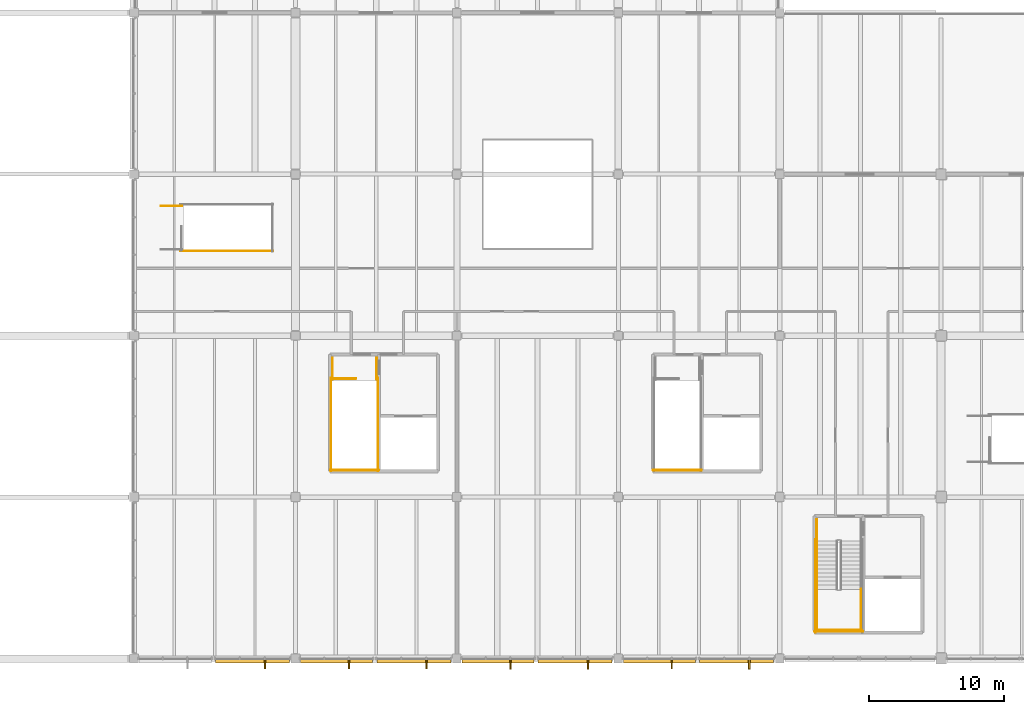
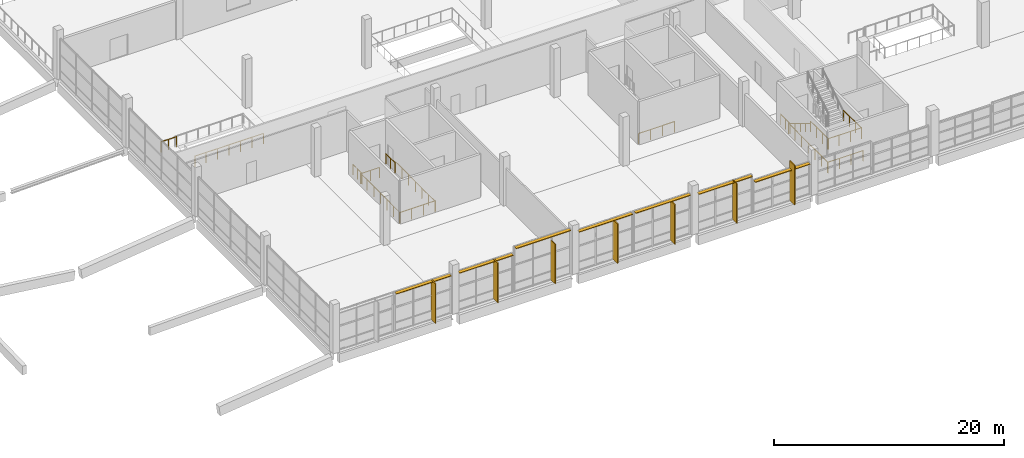
# One storey, part 92 of 112: 16 railings, 14 shading devices.
"""IFC4 building model written with IfcOpenShell, lengths in metres."""

import ifcopenshell
import ifcopenshell.guid

model = None  # the IFC model being written
_history = None  # IfcOwnerHistory: only IFC2X3 demands one
_inside = {}  # id of a spatial element -> (the spatial element, [elements in it])
_under = {}  # id of a project, library or spatial element -> (it, [spatial elements below it])
_declared = {}  # id of a project -> (the project, [libraries it declares])
_typed = {}  # id of a type object -> (the type object, [elements of that type])
_made_of = {}  # id of a material, layer set ... -> (it, [elements and type objects made of it])


def new_model(schema):
    """Start an empty IFC model of exactly this schema.

    Asked for "IFC4X3", IfcOpenShell would pick the latest addendum, in which some entities
    have other attributes; the version numbers below select the first issue.
    IFC2X3 requires an IfcOwnerHistory on every rooted entity: one is made here for all.
    """
    global model, _history
    if schema == "IFC4X3":
        model = ifcopenshell.file(schema_version=(4, 3, 0, 0))
    else:
        model = ifcopenshell.file(schema=schema)
    _inside.clear()
    _under.clear()
    _declared.clear()
    _typed.clear()
    _made_of.clear()
    _history = None
    if model.schema == "IFC2X3":
        org = make("IfcOrganization", Name="unknown")
        user = make(
            "IfcPersonAndOrganization",
            ThePerson=make("IfcPerson", FamilyName="unknown"),
            TheOrganization=org,
        )
        app = make(
            "IfcApplication",
            ApplicationDeveloper=org,
            Version="unknown",
            ApplicationFullName="unknown",
            ApplicationIdentifier="unknown",
        )
        _history = make(
            "IfcOwnerHistory",
            OwningUser=user,
            OwningApplication=app,
            ChangeAction="ADDED",
            CreationDate=0,
        )
    return model


def make(cls, **values):
    """One entity of the class cls with the attributes given. An attribute that is None is left unset."""
    return model.create_entity(
        cls, **{name: value for name, value in values.items() if value is not None}
    )


def rooted(cls, **values):
    """An entity with a GlobalId (a new one), such as an element, a storey or a relation."""
    return make(cls, GlobalId=ifcopenshell.guid.new(), OwnerHistory=_history, **values)


def si_unit(unit_type, name, prefix=None):
    """IfcSIUnit, for example si_unit("LENGTHUNIT", "METRE", prefix="MILLI")."""
    return make("IfcSIUnit", UnitType=unit_type, Prefix=prefix, Name=name)


def assignment(units):
    """IfcUnitAssignment: the units of a project."""
    return None if units is None else make("IfcUnitAssignment", Units=units)


def point(xyz):
    """IfcCartesianPoint."""
    return None if xyz is None else make("IfcCartesianPoint", Coordinates=xyz)


def direction(xyz):
    """IfcDirection."""
    return None if xyz is None else make("IfcDirection", DirectionRatios=xyz)


def frame(location, z_axis=None, x_axis=None):
    """IfcAxis2Placement3D, a coordinate frame: its origin and axes. An axis left out is left unset."""
    return make(
        "IfcAxis2Placement3D",
        Location=point(location),
        Axis=direction(z_axis),
        RefDirection=direction(x_axis),
    )


def frame_2d(location, x_axis=None):
    """IfcAxis2Placement2D, a coordinate frame in the plane: its origin and x axis."""
    return make(
        "IfcAxis2Placement2D", Location=point(location), RefDirection=direction(x_axis)
    )


def origin():
    """The frame at (0, 0, 0) with its axes left unset."""
    return frame((0.0, 0.0, 0.0))


def origin_2d():
    """The frame at (0, 0) in the plane with its x axis left unset."""
    return frame_2d((0.0, 0.0))


def place(relative_to, where):
    """IfcLocalPlacement: puts the frame where relative to a parent placement (None: the world)."""
    return make(
        "IfcLocalPlacement", PlacementRelTo=relative_to, RelativePlacement=where
    )


def context(
    kind, dimensions, precision=None, world=None, true_north=None, identifier=None
):
    """IfcGeometricRepresentationContext, for example the 3D "Model" context."""
    return make(
        "IfcGeometricRepresentationContext",
        ContextIdentifier=identifier,
        ContextType=kind,
        CoordinateSpaceDimension=dimensions,
        Precision=precision,
        WorldCoordinateSystem=world,
        TrueNorth=true_north,
    )


def subcontext(parent, identifier, kind, view, scale=None):
    """IfcGeometricRepresentationSubContext, for example "Body" below "Model"."""
    return make(
        "IfcGeometricRepresentationSubContext",
        ContextIdentifier=identifier,
        ContextType=kind,
        ParentContext=parent,
        TargetScale=scale,
        TargetView=view,
    )


def project(units=None, contexts=None):
    """IfcProject with its units and contexts."""
    return rooted(
        "IfcProject",
        Name="project",
        RepresentationContexts=contexts,
        UnitsInContext=assignment(units),
    )


def spatial(cls, under=None, at=None, **own):
    """A site, building, storey or space (cls), placed at a placement, below another one or the project."""
    s = rooted(cls, ObjectPlacement=at, **own)
    if under is not None:
        _under.setdefault(under.id(), (under, []))[1].append(s)
    return s


def profile(cls, at=None, kind="AREA", **sizes):
    """A parametric profile (cls). Its sizes go by their IFC names, for example OverallWidth=200.0."""
    return make(cls, ProfileType=kind, Position=at, **sizes)


def rectangle(**sizes):
    """IfcRectangleProfileDef."""
    return profile("IfcRectangleProfileDef", **sizes)


def circle(**sizes):
    """IfcCircleProfileDef."""
    return profile("IfcCircleProfileDef", **sizes)


def extrude(swept, where, along, depth):
    """IfcExtrudedAreaSolid: the profile swept, set in the frame where, extruded along a direction by depth."""
    return make(
        "IfcExtrudedAreaSolid",
        SweptArea=swept,
        Position=where,
        ExtrudedDirection=direction(along),
        Depth=depth,
    )


def shape(context_of_items, identifier, shape_type, items):
    """IfcShapeRepresentation: the items that make up one representation, for example the "Body"."""
    return make(
        "IfcShapeRepresentation",
        ContextOfItems=context_of_items,
        RepresentationIdentifier=identifier,
        RepresentationType=shape_type,
        Items=items,
    )


def material(Name=None, Category=None):
    """IfcMaterial."""
    return make("IfcMaterial", Name=Name, Category=Category)


def made_of(thing, what):
    """Note that an element or type object is made of a material, layer set ...; save() writes the relation."""
    if what is not None:
        _made_of.setdefault(what.id(), (what, []))[1].append(thing)
    return thing


def type_object(cls, material=None, **own):
    """A type object (cls), such as IfcWallType, which elements share."""
    return made_of(rooted(cls, **own), material)


def element(
    cls,
    number,
    at=None,
    inside=None,
    cuts=None,
    type_object=None,
    material=None,
    context=None,
    identifier="Body",
    shape_type=None,
    held_by="IfcProductDefinitionShape",
    body=None,
    shapes=None,
    **own,
):
    """One element of the class cls, such as IfcWall. Its Tag is "e" and its number.

    at: its placement. inside: the storey or other place that contains it. cuts: it is an
    opening in that element (IfcRelVoidsElement). A single representation is given by context,
    identifier, shape_type and body (its items); several are given by shapes. held_by: the class
    of the entity that holds the representations. save() writes the other relations.
    """
    e = rooted(cls, Tag="e%d" % number, ObjectPlacement=at, **own)
    if body is not None:
        shapes = [shape(context, identifier, shape_type, body)]
    if shapes is not None:
        e.Representation = make(held_by, Representations=shapes)
    if inside is not None:
        _inside.setdefault(inside.id(), (inside, []))[1].append(e)
    if cuts is not None:
        rooted(
            "IfcRelVoidsElement", RelatingBuildingElement=cuts, RelatedOpeningElement=e
        )
    if type_object is not None:
        _typed.setdefault(type_object.id(), (type_object, []))[1].append(e)
    return made_of(e, material)


def aggregate(whole, parts):
    """IfcRelAggregates: a whole, such as a stair, and the parts it consists of."""
    return rooted("IfcRelAggregates", RelatingObject=whole, RelatedObjects=parts)


def save(model, path):
    """Write the relations noted so far, then the file.

    IfcRelAggregates (storeys below a building ...), IfcRelContainedInSpatialStructure (elements
    in a storey), IfcRelDefinesByType, IfcRelAssociatesMaterial and IfcRelDeclares: one each for
    every whole, place, type object, material and project.
    """
    for whole, parts in _under.values():
        aggregate(whole, parts)
    for where, things in _inside.values():
        rooted(
            "IfcRelContainedInSpatialStructure",
            RelatedElements=things,
            RelatingStructure=where,
        )
    for kind, things in _typed.values():
        rooted("IfcRelDefinesByType", RelatedObjects=things, RelatingType=kind)
    for what, things in _made_of.values():
        rooted("IfcRelAssociatesMaterial", RelatedObjects=things, RelatingMaterial=what)
    for by, libraries in _declared.values():
        rooted("IfcRelDeclares", RelatingContext=by, RelatedDefinitions=libraries)
    model.write(path)


model = new_model("IFC4")

# Units and contexts
model_context = context("Model", 3, precision=1e-05, world=origin(), true_north=direction((0.0, 1.0)))
body_context = subcontext(model_context, "Body", "Model", "MODEL_VIEW")
ifc_project = project(units=[si_unit("LENGTHUNIT", "METRE"), si_unit("AREAUNIT", "SQUARE_METRE"), si_unit("VOLUMEUNIT", "CUBIC_METRE"), si_unit("PLANEANGLEUNIT", "RADIAN"), si_unit("MASSUNIT", "GRAM", prefix="KILO")], contexts=[model_context])

# Site, building, storey
site_placement = place(None, origin())
site = spatial("IfcSite", under=ifc_project, at=site_placement, CompositionType="ELEMENT")
building_placement = place(site_placement, origin())
building = spatial("IfcBuilding", under=site, at=building_placement, Name="Kamomehara Wholesale Market", CompositionType="ELEMENT")
storey_placement = place(building_placement, frame((0.0, 0.0, 6.60009765625)))
storey = spatial("IfcBuildingStorey", under=building, at=storey_placement, Name="L01", CompositionType="ELEMENT", Elevation=6.60009765625)

# Railings
ifc_material_1 = material(Name="Steel SN400B", Category="steel")
railing_type_1 = type_object("IfcRailingType", Name="RAL-HND-900", PredefinedType="HANDRAIL", material=ifc_material_1)
railing_1_placement = place(storey_placement, frame((110.75, 20.75, 0.1845703125)))
element("IfcRailing", 1, at=railing_1_placement, inside=storey, type_object=railing_type_1, Name="L01 ST-07 stair handrail 1", PredefinedType="HANDRAIL", context=body_context, shape_type="SweptSolid", body=[
    extrude(circle(Radius=0.02392578125, at=origin_2d()), frame((0.0, 0.0, 0.8759765625), z_axis=(0.0, -0.85167021472, 0.524078090897), x_axis=(1.0, 0.0, 0.0)), (0.0, 0.0, 1.0), 4.22705078125),
    extrude(circle(Radius=0.02099609375, at=origin_2d()), origin(), (0.0, 0.0, 1.0), 0.851806640625),
    extrude(circle(Radius=0.02099609375, at=origin_2d()), frame((0.0, -0.89990234375, 0.5537109375)), (0.0, 0.0, 1.0), 0.851806640625),
    extrude(circle(Radius=0.02099609375, at=origin_2d()), frame((0.0, -1.800048828125, 1.107666015625)), (0.0, 0.0, 1.0), 0.851806640625),
    extrude(circle(Radius=0.02099609375, at=origin_2d()), frame((0.0, -2.7001953125, 1.66162109375)), (0.0, 0.0, 1.0), 0.851806640625),
    extrude(circle(Radius=0.02099609375, at=origin_2d()), frame((0.0, -3.60009765625, 2.21533203125)), (0.0, 0.0, 1.0), 0.851806640625),
])
ifc_material_2 = material(Name="Steel SN400B", Category="steel")
railing_type_2 = type_object("IfcRailingType", Name="RAL-INT-1100", PredefinedType="BALUSTRADE", material=ifc_material_2)
railing_2_placement = place(storey_placement, frame((74.699951171875, 32.800048828125, 0.0)))
element("IfcRailing", 2, at=railing_2_placement, inside=storey, type_object=railing_type_2, Name="L01 ST-05 top well guard 1", PredefinedType="BALUSTRADE", context=body_context, shape_type="SweptSolid", body=[
    extrude(circle(Radius=0.02392578125, at=origin_2d()), frame((0.0, 0.0, 1.09619140625), z_axis=(1.0, 0.0, 0.0), x_axis=(0.0, 1.0, 0.0)), (0.0, 0.0, 1.0), 1.800048828125),
    extrude(circle(Radius=0.02099609375, at=origin_2d()), origin(), (0.0, 0.0, 1.0), 1.072021484375),
    extrude(circle(Radius=0.02099609375, at=origin_2d()), frame((0.89990234375, 0.0, 0.0)), (0.0, 0.0, 1.0), 1.072021484375),
    extrude(circle(Radius=0.02099609375, at=origin_2d()), frame((1.800048828125, 0.0, 0.0)), (0.0, 0.0, 1.0), 1.072021484375),
])
for number, where, name in (
    (3, (74.64990234375, 32.85009765625, 0.0), "L01 ST-05 top well guard 2"),
    (4, (78.14990234375, 32.85009765625, 0.0), "L01 ST-05 top well guard 3"),
):
    element("IfcRailing", number, at=place(storey_placement, frame(where)), inside=storey, type_object=railing_type_2, Name=name, PredefinedType="BALUSTRADE", context=body_context, shape_type="SweptSolid", body=[
        extrude(circle(Radius=0.02392578125, at=origin_2d()), frame((0.0, 0.0, 1.09619140625), z_axis=(0.0, -1.0, 0.0), x_axis=(1.0, 0.0, 0.0)), (0.0, 0.0, 1.0), 6.900146484375),
        extrude(circle(Radius=0.02099609375, at=origin_2d()), origin(), (0.0, 0.0, 1.0), 1.072021484375),
        extrude(circle(Radius=0.02099609375, at=origin_2d()), frame((0.0, -1.14990234375, 0.0)), (0.0, 0.0, 1.0), 1.072021484375),
        extrude(circle(Radius=0.02099609375, at=origin_2d()), frame((0.0, -2.300048828125, 0.0)), (0.0, 0.0, 1.0), 1.072021484375),
        extrude(circle(Radius=0.02099609375, at=origin_2d()), frame((0.0, -3.4501953125, 0.0)), (0.0, 0.0, 1.0), 1.072021484375),
        extrude(circle(Radius=0.02099609375, at=origin_2d()), frame((0.0, -4.60009765625, 0.0)), (0.0, 0.0, 1.0), 1.072021484375),
        extrude(circle(Radius=0.02099609375, at=origin_2d()), frame((0.0, -5.75, 0.0)), (0.0, 0.0, 1.0), 1.072021484375),
        extrude(circle(Radius=0.02099609375, at=origin_2d()), frame((0.0, -6.900146484375, 0.0)), (0.0, 0.0, 1.0), 1.072021484375),
    ])
railing_3_placement = place(storey_placement, frame((74.60009765625, 26.0, 0.0)))
element("IfcRailing", 5, at=railing_3_placement, inside=storey, type_object=railing_type_2, Name="L01 ST-05 top well guard 4", PredefinedType="BALUSTRADE", context=body_context, shape_type="SweptSolid", body=[
    extrude(circle(Radius=0.02392578125, at=origin_2d()), frame((0.0, 0.0, 1.09619140625), z_axis=(1.0, 0.0, 0.0), x_axis=(0.0, 1.0, 0.0)), (0.0, 0.0, 1.0), 3.599853515625),
    extrude(circle(Radius=0.02099609375, at=origin_2d()), origin(), (0.0, 0.0, 1.0), 1.072021484375),
    extrude(circle(Radius=0.02099609375, at=origin_2d()), frame((1.199951171875, 0.0, 0.0)), (0.0, 0.0, 1.0), 1.072021484375),
    extrude(circle(Radius=0.02099609375, at=origin_2d()), frame((2.39990234375, 0.0, 0.0)), (0.0, 0.0, 1.0), 1.072021484375),
    extrude(circle(Radius=0.02099609375, at=origin_2d()), frame((3.599853515625, 0.0, 0.0)), (0.0, 0.0, 1.0), 1.072021484375),
])
for number, where, name in (
    (6, (74.75, 34.35009765625, 0.0), "L01 ST-05 top well guard 5"),
    (7, (78.050048828125, 34.35009765625, 0.0), "L01 ST-05 top well guard 6"),
):
    element("IfcRailing", number, at=place(storey_placement, frame(where)), inside=storey, type_object=railing_type_2, Name=name, PredefinedType="BALUSTRADE", context=body_context, shape_type="SweptSolid", body=[
        extrude(circle(Radius=0.02392578125, at=origin_2d()), frame((0.0, 0.0, 1.09619140625), z_axis=(0.0, -1.0, 0.0), x_axis=(1.0, 0.0, 0.0)), (0.0, 0.0, 1.0), 1.60009765625),
        extrude(circle(Radius=0.02099609375, at=origin_2d()), origin(), (0.0, 0.0, 1.0), 1.072021484375),
        extrude(circle(Radius=0.02099609375, at=origin_2d()), frame((0.0, -0.800048828125, 0.0)), (0.0, 0.0, 1.0), 1.072021484375),
        extrude(circle(Radius=0.02099609375, at=origin_2d()), frame((0.0, -1.60009765625, 0.0)), (0.0, 0.0, 1.0), 1.072021484375),
    ])
railing_4_placement = place(storey_placement, frame((98.60009765625, 26.0, 0.0)))
element("IfcRailing", 8, at=railing_4_placement, inside=storey, type_object=railing_type_2, Name="L01 ST-06 top well guard 4", PredefinedType="BALUSTRADE", context=body_context, shape_type="SweptSolid", body=[
    extrude(circle(Radius=0.02392578125, at=origin_2d()), frame((0.0, 0.0, 1.09619140625), z_axis=(1.0, 0.0, 0.0), x_axis=(0.0, 1.0, 0.0)), (0.0, 0.0, 1.0), 3.599853515625),
    extrude(circle(Radius=0.02099609375, at=origin_2d()), origin(), (0.0, 0.0, 1.0), 1.072021484375),
    extrude(circle(Radius=0.02099609375, at=origin_2d()), frame((1.199951171875, 0.0, 0.0)), (0.0, 0.0, 1.0), 1.072021484375),
    extrude(circle(Radius=0.02099609375, at=origin_2d()), frame((2.39990234375, 0.0, 0.0)), (0.0, 0.0, 1.0), 1.072021484375),
    extrude(circle(Radius=0.02099609375, at=origin_2d()), frame((3.599853515625, 0.0, 0.0)), (0.0, 0.0, 1.0), 1.072021484375),
])
for number, where, name in (
    (9, (110.75, 17.14990234375, 2.39990234375), "L01 ST-07 stair guard 3"),
    (10, (114.050048828125, 17.14990234375, 2.39990234375), "L01 ST-07 stair guard 4"),
):
    element("IfcRailing", number, at=place(storey_placement, frame(where)), inside=storey, type_object=railing_type_2, Name=name, PredefinedType="BALUSTRADE", context=body_context, shape_type="SweptSolid", body=[
        extrude(circle(Radius=0.02392578125, at=origin_2d()), frame((0.0, 0.0, 1.09619140625), z_axis=(0.0, -1.0, 0.0), x_axis=(1.0, 0.0, 0.0)), (0.0, 0.0, 1.0), 3.099853515625),
        extrude(circle(Radius=0.02099609375, at=origin_2d()), origin(), (0.0, 0.0, 1.0), 1.072021484375),
        extrude(circle(Radius=0.02099609375, at=origin_2d()), frame((0.0, -1.033203125, 0.0)), (0.0, 0.0, 1.0), 1.072021484375),
        extrude(circle(Radius=0.02099609375, at=origin_2d()), frame((0.0, -2.066650390625, 0.0)), (0.0, 0.0, 1.0), 1.072021484375),
        extrude(circle(Radius=0.02099609375, at=origin_2d()), frame((0.0, -3.099853515625, 0.0)), (0.0, 0.0, 1.0), 1.072021484375),
    ])
railing_5_placement = place(storey_placement, frame((110.699951171875, 14.10009765625, 2.39990234375)))
element("IfcRailing", 11, at=railing_5_placement, inside=storey, type_object=railing_type_2, Name="L01 ST-07 stair guard 5", PredefinedType="BALUSTRADE", context=body_context, shape_type="SweptSolid", body=[
    extrude(circle(Radius=0.02392578125, at=origin_2d()), frame((0.0, 0.0, 1.09619140625), z_axis=(1.0, 0.0, 0.0), x_axis=(0.0, 1.0, 0.0)), (0.0, 0.0, 1.0), 3.400146484375),
    extrude(circle(Radius=0.02099609375, at=origin_2d()), origin(), (0.0, 0.0, 1.0), 1.072021484375),
    extrude(circle(Radius=0.02099609375, at=origin_2d()), frame((1.13330078125, 0.0, 0.0)), (0.0, 0.0, 1.0), 1.072021484375),
    extrude(circle(Radius=0.02099609375, at=origin_2d()), frame((2.266845703125, 0.0, 0.0)), (0.0, 0.0, 1.0), 1.072021484375),
    extrude(circle(Radius=0.02099609375, at=origin_2d()), frame((3.400146484375, 0.0, 0.0)), (0.0, 0.0, 1.0), 1.072021484375),
])
railing_6_placement = place(storey_placement, frame((110.75, 22.35009765625, 0.0)))
element("IfcRailing", 12, at=railing_6_placement, inside=storey, type_object=railing_type_2, Name="L01 ST-07 stair guard 8", PredefinedType="BALUSTRADE", context=body_context, shape_type="SweptSolid", body=[
    extrude(circle(Radius=0.02392578125, at=origin_2d()), frame((0.0, 0.0, 1.09619140625), z_axis=(0.0, -1.0, 0.0), x_axis=(1.0, 0.0, 0.0)), (0.0, 0.0, 1.0), 1.60009765625),
    extrude(circle(Radius=0.02099609375, at=origin_2d()), origin(), (0.0, 0.0, 1.0), 1.072021484375),
    extrude(circle(Radius=0.02099609375, at=origin_2d()), frame((0.0, -0.800048828125, 0.0)), (0.0, 0.0, 1.0), 1.072021484375),
    extrude(circle(Radius=0.02099609375, at=origin_2d()), frame((0.0, -1.60009765625, 0.0)), (0.0, 0.0, 1.0), 1.072021484375),
])
railing_7_placement = place(storey_placement, frame((110.64990234375, 20.85009765625, 0.0)))
element("IfcRailing", 13, at=railing_7_placement, inside=storey, type_object=railing_type_2, Name="L01 ST-07 stair guard 10", PredefinedType="BALUSTRADE", context=body_context, shape_type="SweptSolid", body=[
    extrude(circle(Radius=0.02392578125, at=origin_2d()), frame((0.0, 0.0, 1.09619140625), z_axis=(0.0, -1.0, 0.0), x_axis=(1.0, 0.0, 0.0)), (0.0, 0.0, 1.0), 6.900146484375),
    extrude(circle(Radius=0.02099609375, at=origin_2d()), origin(), (0.0, 0.0, 1.0), 1.072021484375),
    extrude(circle(Radius=0.02099609375, at=origin_2d()), frame((0.0, -1.14990234375, 0.0)), (0.0, 0.0, 1.0), 1.072021484375),
    extrude(circle(Radius=0.02099609375, at=origin_2d()), frame((0.0, -2.300048828125, 0.0)), (0.0, 0.0, 1.0), 1.072021484375),
    extrude(circle(Radius=0.02099609375, at=origin_2d()), frame((0.0, -3.4501953125, 0.0)), (0.0, 0.0, 1.0), 1.072021484375),
    extrude(circle(Radius=0.02099609375, at=origin_2d()), frame((0.0, -4.60009765625, 0.0)), (0.0, 0.0, 1.0), 1.072021484375),
    extrude(circle(Radius=0.02099609375, at=origin_2d()), frame((0.0, -5.75, 0.0)), (0.0, 0.0, 1.0), 1.072021484375),
    extrude(circle(Radius=0.02099609375, at=origin_2d()), frame((0.0, -6.900146484375, 0.0)), (0.0, 0.0, 1.0), 1.072021484375),
])
railing_8_placement = place(storey_placement, frame((110.60009765625, 14.0, 0.0)))
element("IfcRailing", 14, at=railing_8_placement, inside=storey, type_object=railing_type_2, Name="L01 ST-07 stair guard 12", PredefinedType="BALUSTRADE", context=body_context, shape_type="SweptSolid", body=[
    extrude(circle(Radius=0.02392578125, at=origin_2d()), frame((0.0, 0.0, 1.09619140625), z_axis=(1.0, 0.0, 0.0), x_axis=(0.0, 1.0, 0.0)), (0.0, 0.0, 1.0), 3.599853515625),
    extrude(circle(Radius=0.02099609375, at=origin_2d()), origin(), (0.0, 0.0, 1.0), 1.072021484375),
    extrude(circle(Radius=0.02099609375, at=origin_2d()), frame((1.199951171875, 0.0, 0.0)), (0.0, 0.0, 1.0), 1.072021484375),
    extrude(circle(Radius=0.02099609375, at=origin_2d()), frame((2.39990234375, 0.0, 0.0)), (0.0, 0.0, 1.0), 1.072021484375),
    extrude(circle(Radius=0.02099609375, at=origin_2d()), frame((3.599853515625, 0.0, 0.0)), (0.0, 0.0, 1.0), 1.072021484375),
])
railing_9_placement = place(storey_placement, frame((63.47509765625, 42.300048828125, 0.0)))
element("IfcRailing", 15, at=railing_9_placement, inside=storey, type_object=railing_type_2, Name="L01 ST-16 top well guard 2", PredefinedType="BALUSTRADE", context=body_context, shape_type="SweptSolid", body=[
    extrude(circle(Radius=0.02392578125, at=origin_2d()), frame((0.0, 0.0, 1.09619140625), z_axis=(1.0, 0.0, 0.0), x_axis=(0.0, 1.0, 0.0)), (0.0, 0.0, 1.0), 6.875),
    extrude(circle(Radius=0.02099609375, at=origin_2d()), origin(), (0.0, 0.0, 1.0), 1.072021484375),
    extrude(circle(Radius=0.02099609375, at=origin_2d()), frame((1.145751953125, 0.0, 0.0)), (0.0, 0.0, 1.0), 1.072021484375),
    extrude(circle(Radius=0.02099609375, at=origin_2d()), frame((2.291748046875, 0.0, 0.0)), (0.0, 0.0, 1.0), 1.072021484375),
    extrude(circle(Radius=0.02099609375, at=origin_2d()), frame((3.4375, 0.0, 0.0)), (0.0, 0.0, 1.0), 1.072021484375),
    extrude(circle(Radius=0.02099609375, at=origin_2d()), frame((4.583251953125, 0.0, 0.0)), (0.0, 0.0, 1.0), 1.072021484375),
    extrude(circle(Radius=0.02099609375, at=origin_2d()), frame((5.729248046875, 0.0, 0.0)), (0.0, 0.0, 1.0), 1.072021484375),
    extrude(circle(Radius=0.02099609375, at=origin_2d()), frame((6.875, 0.0, 0.0)), (0.0, 0.0, 1.0), 1.072021484375),
])
railing_10_placement = place(storey_placement, frame((62.0, 45.64990234375, 0.0)))
element("IfcRailing", 16, at=railing_10_placement, inside=storey, type_object=railing_type_2, Name="L01 ST-16 top well guard 6", PredefinedType="BALUSTRADE", context=body_context, shape_type="SweptSolid", body=[
    extrude(circle(Radius=0.02392578125, at=origin_2d()), frame((0.0, 0.0, 1.09619140625), z_axis=(1.0, 0.0, 0.0), x_axis=(0.0, 1.0, 0.0)), (0.0, 0.0, 1.0), 1.574951171875),
    extrude(circle(Radius=0.02099609375, at=origin_2d()), origin(), (0.0, 0.0, 1.0), 1.072021484375),
    extrude(circle(Radius=0.02099609375, at=origin_2d()), frame((0.78759765625, 0.0, 0.0)), (0.0, 0.0, 1.0), 1.072021484375),
    extrude(circle(Radius=0.02099609375, at=origin_2d()), frame((1.574951171875, 0.0, 0.0)), (0.0, 0.0, 1.0), 1.072021484375),
])

# Shading devices
ifc_material_3 = material(Name="Anodised aluminium 6063-T5 Spectrum Red", Category="aluminium")
shading_device_type_1 = type_object("IfcShadingDeviceType", Name="SHD-FIN-01", PredefinedType="NOTDEFINED", material=ifc_material_3)
for number, where, z_axis, x_axis, name in (
    (17, (69.73291015625, 11.639892578125, 0.0), (0.0, 0.0, 1.0), (1.0, 0.0, 0.0), "Coastal sun-breaker fin V4 1"),
    (18, (99.97802734375, 11.639892578125, 0.0), (0.0, 0.0, 1.0), (1.0, 0.0, 0.0), "Coastal sun-breaker fin V4 8"),
):
    element("IfcShadingDevice", number, at=place(storey_placement, frame(where, z_axis=z_axis, x_axis=x_axis)), inside=storey, type_object=shading_device_type_1, Name=name, PredefinedType="NOTDEFINED", context=body_context, shape_type="SweptSolid", body=[
        extrude(rectangle(XDim=0.093994140625, YDim=0.760009765625, at=origin_2d()), origin(), (0.0, 0.0, 1.0), 4.199951171875),
    ])
ifc_material_4 = material(Name="Anodised aluminium 6063-T5 Spectrum Amber", Category="aluminium")
shading_device_type_2 = type_object("IfcShadingDeviceType", Name="SHD-FIN-03", PredefinedType="NOTDEFINED", material=ifc_material_4)
shading_device_1_placement = place(storey_placement, frame((81.73291015625, 11.6298828125, 0.0), z_axis=(0.0, 0.0, 1.0), x_axis=(1.0, 0.0, 0.0)))
element("IfcShadingDevice", 19, at=shading_device_1_placement, inside=storey, type_object=shading_device_type_2, Name="Coastal sun-breaker fin V4 3", PredefinedType="NOTDEFINED", context=body_context, shape_type="SweptSolid", body=[
    extrude(rectangle(XDim=0.10205078125, YDim=0.780029296875, at=origin_2d()), origin(), (0.0, 0.0, 1.0), 4.199951171875),
])
ifc_material_5 = material(Name="Anodised aluminium 6063-T5 Spectrum Green", Category="aluminium")
shading_device_type_3 = type_object("IfcShadingDeviceType", Name="SHD-FIN-04", PredefinedType="NOTDEFINED", material=ifc_material_5)
shading_device_2_placement = place(storey_placement, frame((75.97802734375, 11.625, 0.0), z_axis=(0.0, 0.0, 1.0), x_axis=(1.0, 0.0, 0.0)))
element("IfcShadingDevice", 20, at=shading_device_2_placement, inside=storey, type_object=shading_device_type_3, Name="Coastal sun-breaker fin V4 4", PredefinedType="NOTDEFINED", context=body_context, shape_type="SweptSolid", body=[
    extrude(rectangle(XDim=0.10595703125, YDim=0.7900390625, at=origin_2d()), origin(), (0.0, 0.0, 1.0), 4.199951171875),
])
ifc_material_6 = material(Name="Anodised aluminium 6063-T5 Spectrum Cyan", Category="aluminium")
shading_device_type_4 = type_object("IfcShadingDeviceType", Name="SHD-FIN-05", PredefinedType="NOTDEFINED", material=ifc_material_6)
shading_device_3_placement = place(storey_placement, frame((93.73291015625, 11.6201171875, 0.0), z_axis=(0.0, 0.0, 1.0), x_axis=(1.0, 0.0, 0.0)))
element("IfcShadingDevice", 21, at=shading_device_3_placement, inside=storey, type_object=shading_device_type_4, Name="Coastal sun-breaker fin V4 5", PredefinedType="NOTDEFINED", context=body_context, shape_type="SweptSolid", body=[
    extrude(rectangle(XDim=0.110107421875, YDim=0.800048828125, at=origin_2d()), origin(), (0.0, 0.0, 1.0), 4.199951171875),
])
ifc_material_7 = material(Name="Anodised aluminium 6063-T5 Spectrum Blue", Category="aluminium")
shading_device_type_5 = type_object("IfcShadingDeviceType", Name="SHD-FIN-06", PredefinedType="NOTDEFINED", material=ifc_material_7)
shading_device_4_placement = place(storey_placement, frame((87.97802734375, 11.614990234375, 0.0), z_axis=(0.0, 0.0, 1.0), x_axis=(1.0, 0.0, 0.0)))
element("IfcShadingDevice", 22, at=shading_device_4_placement, inside=storey, type_object=shading_device_type_5, Name="Coastal sun-breaker fin V4 6", PredefinedType="NOTDEFINED", context=body_context, shape_type="SweptSolid", body=[
    extrude(rectangle(XDim=0.114013671875, YDim=0.81005859375, at=origin_2d()), origin(), (0.0, 0.0, 1.0), 4.199951171875),
])
ifc_material_8 = material(Name="Anodised aluminium 6063-T5 Spectrum Violet", Category="aluminium")
shading_device_type_6 = type_object("IfcShadingDeviceType", Name="SHD-FIN-07", PredefinedType="NOTDEFINED", material=ifc_material_8)
shading_device_5_placement = place(storey_placement, frame((105.73291015625, 11.610107421875, 0.0), z_axis=(0.0, 0.0, 1.0), x_axis=(1.0, 0.0, 0.0)))
element("IfcShadingDevice", 23, at=shading_device_5_placement, inside=storey, type_object=shading_device_type_6, Name="Coastal sun-breaker fin V4 7", PredefinedType="NOTDEFINED", context=body_context, shape_type="SweptSolid", body=[
    extrude(rectangle(XDim=0.117919921875, YDim=0.820068359375, at=origin_2d()), origin(), (0.0, 0.0, 1.0), 4.199951171875),
])
ifc_material_9 = material(Name="Anodised aluminium 6063-T5", Category="aluminium")
shading_device_type_7 = type_object("IfcShadingDeviceType", Name="SHD-LVR-01", PredefinedType="JALOUSIE", material=ifc_material_9)
for number, where, z_axis, x_axis, name in (
    (24, (68.800048828125, 11.840087890625, 4.107421875), (0.0, 0.0, 1.0), (1.0, 0.0, 0.0), "Coastal storm louvre V4 1"),
    (25, (80.800048828125, 11.840087890625, 4.717529296875), (0.0, 0.0, 1.0), (1.0, 0.0, 0.0), "Coastal storm louvre V4 3"),
):
    element("IfcShadingDevice", number, at=place(storey_placement, frame(where, z_axis=z_axis, x_axis=x_axis)), inside=storey, type_object=shading_device_type_7, Name=name, PredefinedType="JALOUSIE", context=body_context, shape_type="SweptSolid", body=[
        extrude(rectangle(XDim=5.5, YDim=0.35009765625, at=origin_2d()), origin(), (0.0, 0.0, 1.0), 0.06494140625),
    ])
shading_device_6_placement = place(storey_placement, frame((75.06689453125, 11.840087890625, 4.107421875), z_axis=(0.0, 0.0, 1.0), x_axis=(1.0, 0.0, 0.0)))
element("IfcShadingDevice", 26, at=shading_device_6_placement, inside=storey, type_object=shading_device_type_7, Name="Coastal storm louvre V4 4", PredefinedType="JALOUSIE", context=body_context, shape_type="SweptSolid", body=[
    extrude(rectangle(XDim=5.364990234375, YDim=0.35009765625, at=origin_2d()), origin(), (0.0, 0.0, 1.0), 0.06494140625),
])
shading_device_7_placement = place(storey_placement, frame((92.800048828125, 11.840087890625, 4.25732421875), z_axis=(0.0, 0.0, 1.0), x_axis=(1.0, 0.0, 0.0)))
element("IfcShadingDevice", 27, at=shading_device_7_placement, inside=storey, type_object=shading_device_type_7, Name="Coastal storm louvre V4 5", PredefinedType="JALOUSIE", context=body_context, shape_type="SweptSolid", body=[
    extrude(rectangle(XDim=5.5, YDim=0.35009765625, at=origin_2d()), origin(), (0.0, 0.0, 1.0), 0.06494140625),
])
shading_device_8_placement = place(storey_placement, frame((87.06689453125, 11.840087890625, 4.25732421875), z_axis=(0.0, 0.0, 1.0), x_axis=(1.0, 0.0, 0.0)))
element("IfcShadingDevice", 28, at=shading_device_8_placement, inside=storey, type_object=shading_device_type_7, Name="Coastal storm louvre V4 6", PredefinedType="JALOUSIE", context=body_context, shape_type="SweptSolid", body=[
    extrude(rectangle(XDim=5.364990234375, YDim=0.35009765625, at=origin_2d()), origin(), (0.0, 0.0, 1.0), 0.06494140625),
])
shading_device_9_placement = place(storey_placement, frame((104.800048828125, 11.840087890625, 3.35546875), z_axis=(0.0, 0.0, 1.0), x_axis=(1.0, 0.0, 0.0)))
element("IfcShadingDevice", 29, at=shading_device_9_placement, inside=storey, type_object=shading_device_type_7, Name="Coastal storm louvre V4 7", PredefinedType="JALOUSIE", context=body_context, shape_type="SweptSolid", body=[
    extrude(rectangle(XDim=5.5, YDim=0.35009765625, at=origin_2d()), origin(), (0.0, 0.0, 1.0), 0.06494140625),
])
shading_device_10_placement = place(storey_placement, frame((99.06689453125, 11.840087890625, 4.057373046875), z_axis=(0.0, 0.0, 1.0), x_axis=(1.0, 0.0, 0.0)))
element("IfcShadingDevice", 30, at=shading_device_10_placement, inside=storey, type_object=shading_device_type_7, Name="Coastal storm louvre V4 8", PredefinedType="JALOUSIE", context=body_context, shape_type="SweptSolid", body=[
    extrude(rectangle(XDim=5.364990234375, YDim=0.35009765625, at=origin_2d()), origin(), (0.0, 0.0, 1.0), 0.06494140625),
])

save(model, "model.ifc")
